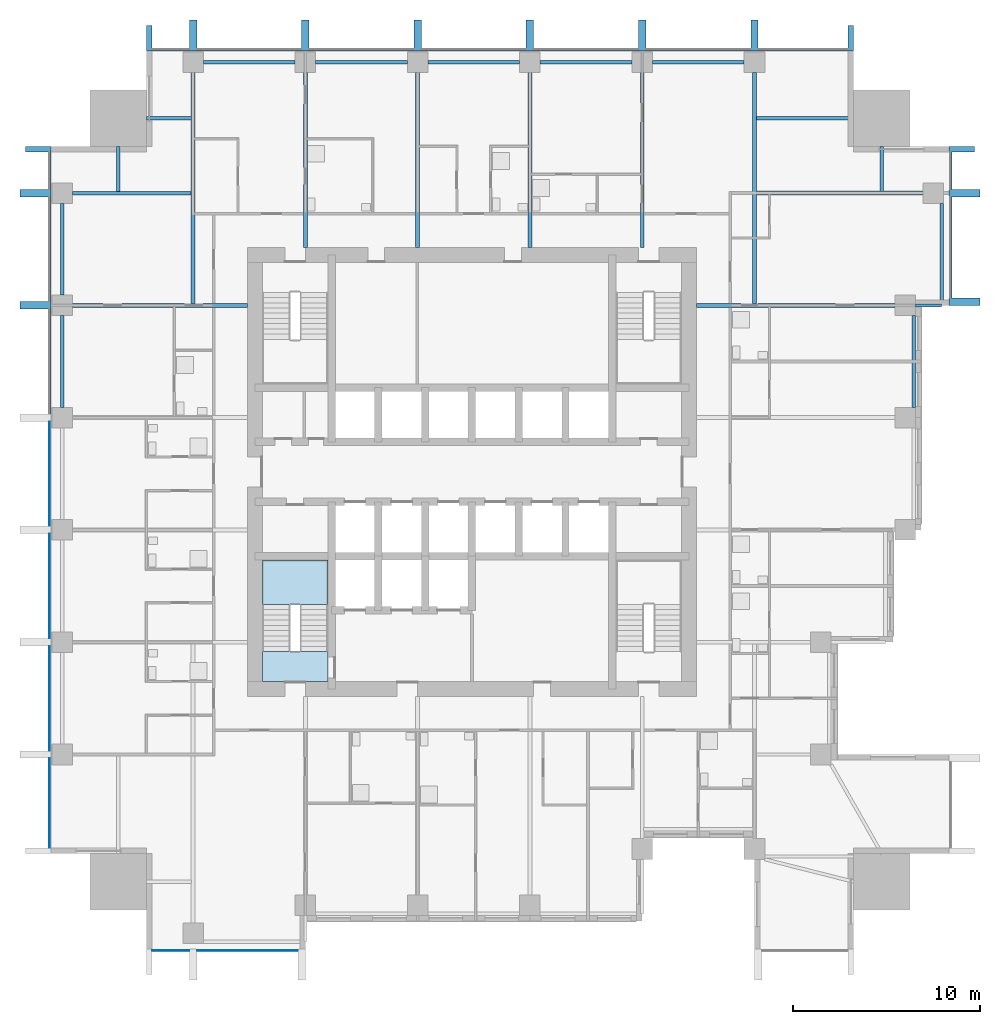
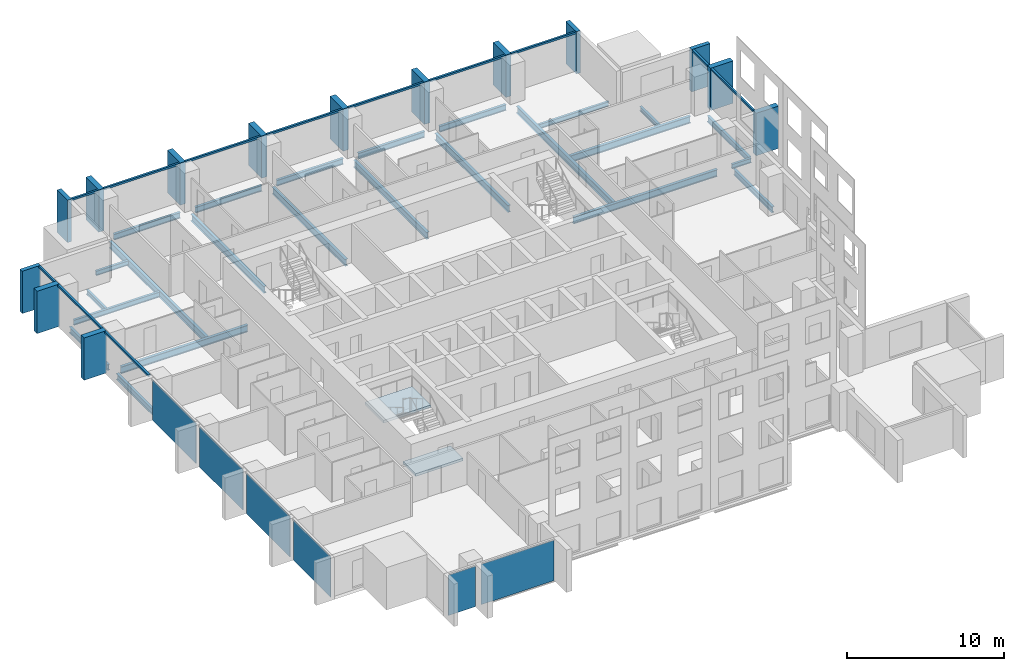
# One storey, part 2 of 11: 26 members, 24 beams, 6 plates, 2 slabs, 5 elements without a shape of their own.
"""IFC4 building model written with IfcOpenShell, lengths in metres."""

import ifcopenshell
import ifcopenshell.guid

model = None  # the IFC model being written
_history = None  # IfcOwnerHistory: only IFC2X3 demands one
_inside = {}  # id of a spatial element -> (the spatial element, [elements in it])
_under = {}  # id of a project, library or spatial element -> (it, [spatial elements below it])
_declared = {}  # id of a project -> (the project, [libraries it declares])
_typed = {}  # id of a type object -> (the type object, [elements of that type])
_made_of = {}  # id of a material, layer set ... -> (it, [elements and type objects made of it])


def new_model(schema):
    """Start an empty IFC model of exactly this schema.

    Asked for "IFC4X3", IfcOpenShell would pick the latest addendum, in which some entities
    have other attributes; the version numbers below select the first issue.
    IFC2X3 requires an IfcOwnerHistory on every rooted entity: one is made here for all.
    """
    global model, _history
    if schema == "IFC4X3":
        model = ifcopenshell.file(schema_version=(4, 3, 0, 0))
    else:
        model = ifcopenshell.file(schema=schema)
    _inside.clear()
    _under.clear()
    _declared.clear()
    _typed.clear()
    _made_of.clear()
    _history = None
    if model.schema == "IFC2X3":
        org = make("IfcOrganization", Name="unknown")
        user = make(
            "IfcPersonAndOrganization",
            ThePerson=make("IfcPerson", FamilyName="unknown"),
            TheOrganization=org,
        )
        app = make(
            "IfcApplication",
            ApplicationDeveloper=org,
            Version="unknown",
            ApplicationFullName="unknown",
            ApplicationIdentifier="unknown",
        )
        _history = make(
            "IfcOwnerHistory",
            OwningUser=user,
            OwningApplication=app,
            ChangeAction="ADDED",
            CreationDate=0,
        )
    return model


def make(cls, **values):
    """One entity of the class cls with the attributes given. An attribute that is None is left unset."""
    return model.create_entity(
        cls, **{name: value for name, value in values.items() if value is not None}
    )


def rooted(cls, **values):
    """An entity with a GlobalId (a new one), such as an element, a storey or a relation."""
    return make(cls, GlobalId=ifcopenshell.guid.new(), OwnerHistory=_history, **values)


def si_unit(unit_type, name, prefix=None):
    """IfcSIUnit, for example si_unit("LENGTHUNIT", "METRE", prefix="MILLI")."""
    return make("IfcSIUnit", UnitType=unit_type, Prefix=prefix, Name=name)


def assignment(units):
    """IfcUnitAssignment: the units of a project."""
    return None if units is None else make("IfcUnitAssignment", Units=units)


def point(xyz):
    """IfcCartesianPoint."""
    return None if xyz is None else make("IfcCartesianPoint", Coordinates=xyz)


def direction(xyz):
    """IfcDirection."""
    return None if xyz is None else make("IfcDirection", DirectionRatios=xyz)


def frame(location, z_axis=None, x_axis=None):
    """IfcAxis2Placement3D, a coordinate frame: its origin and axes. An axis left out is left unset."""
    return make(
        "IfcAxis2Placement3D",
        Location=point(location),
        Axis=direction(z_axis),
        RefDirection=direction(x_axis),
    )


def frame_2d(location, x_axis=None):
    """IfcAxis2Placement2D, a coordinate frame in the plane: its origin and x axis."""
    return make(
        "IfcAxis2Placement2D", Location=point(location), RefDirection=direction(x_axis)
    )


def origin():
    """The frame at (0, 0, 0) with its axes left unset."""
    return frame((0.0, 0.0, 0.0))


def origin_2d():
    """The frame at (0, 0) in the plane with its x axis left unset."""
    return frame_2d((0.0, 0.0))


def place(relative_to, where):
    """IfcLocalPlacement: puts the frame where relative to a parent placement (None: the world)."""
    return make(
        "IfcLocalPlacement", PlacementRelTo=relative_to, RelativePlacement=where
    )


def context(
    kind, dimensions, precision=None, world=None, true_north=None, identifier=None
):
    """IfcGeometricRepresentationContext, for example the 3D "Model" context."""
    return make(
        "IfcGeometricRepresentationContext",
        ContextIdentifier=identifier,
        ContextType=kind,
        CoordinateSpaceDimension=dimensions,
        Precision=precision,
        WorldCoordinateSystem=world,
        TrueNorth=true_north,
    )


def subcontext(parent, identifier, kind, view, scale=None):
    """IfcGeometricRepresentationSubContext, for example "Body" below "Model"."""
    return make(
        "IfcGeometricRepresentationSubContext",
        ContextIdentifier=identifier,
        ContextType=kind,
        ParentContext=parent,
        TargetScale=scale,
        TargetView=view,
    )


def project(units=None, contexts=None):
    """IfcProject with its units and contexts."""
    return rooted(
        "IfcProject",
        Name="project",
        RepresentationContexts=contexts,
        UnitsInContext=assignment(units),
    )


def spatial(cls, under=None, at=None, **own):
    """A site, building, storey or space (cls), placed at a placement, below another one or the project."""
    s = rooted(cls, ObjectPlacement=at, **own)
    if under is not None:
        _under.setdefault(under.id(), (under, []))[1].append(s)
    return s


def polyline(points):
    """IfcPolyline through the points."""
    return make("IfcPolyline", Points=[point(p) for p in points])


def profile(cls, at=None, kind="AREA", **sizes):
    """A parametric profile (cls). Its sizes go by their IFC names, for example OverallWidth=200.0."""
    return make(cls, ProfileType=kind, Position=at, **sizes)


def rectangle(**sizes):
    """IfcRectangleProfileDef."""
    return profile("IfcRectangleProfileDef", **sizes)


def i_section(**sizes):
    """IfcIShapeProfileDef."""
    return profile("IfcIShapeProfileDef", **sizes)


def outline(outer, holes=None, kind="AREA"):
    """IfcArbitraryClosedProfileDef: a profile drawn as a closed curve; with holes, ...WithVoids."""
    if holes is None:
        return make("IfcArbitraryClosedProfileDef", ProfileType=kind, OuterCurve=outer)
    return make(
        "IfcArbitraryProfileDefWithVoids",
        ProfileType=kind,
        OuterCurve=outer,
        InnerCurves=holes,
    )


def extrude(swept, where, along, depth):
    """IfcExtrudedAreaSolid: the profile swept, set in the frame where, extruded along a direction by depth."""
    return make(
        "IfcExtrudedAreaSolid",
        SweptArea=swept,
        Position=where,
        ExtrudedDirection=direction(along),
        Depth=depth,
    )


def shape(context_of_items, identifier, shape_type, items):
    """IfcShapeRepresentation: the items that make up one representation, for example the "Body"."""
    return make(
        "IfcShapeRepresentation",
        ContextOfItems=context_of_items,
        RepresentationIdentifier=identifier,
        RepresentationType=shape_type,
        Items=items,
    )


def material(Name=None, Category=None):
    """IfcMaterial."""
    return make("IfcMaterial", Name=Name, Category=Category)


def layer(
    of_material, thickness, ventilated=None, Name=None, Category=None, Priority=None
):
    """IfcMaterialLayer: one layer of a wall or slab, of a material (None: an air gap)."""
    return make(
        "IfcMaterialLayer",
        Material=of_material,
        LayerThickness=thickness,
        IsVentilated=ventilated,
        Name=Name,
        Category=Category,
        Priority=Priority,
    )


def layer_set(layers, Name=None):
    """IfcMaterialLayerSet."""
    return make("IfcMaterialLayerSet", MaterialLayers=layers, LayerSetName=Name)


def material_profile(
    of_material, cross_section, Name=None, Category=None, Priority=None
):
    """IfcMaterialProfile: a cross section and its material."""
    return make(
        "IfcMaterialProfile",
        Name=Name,
        Material=of_material,
        Profile=cross_section,
        Priority=Priority,
        Category=Category,
    )


def profile_set(profiles, Name=None, composite=None):
    """IfcMaterialProfileSet."""
    return make(
        "IfcMaterialProfileSet",
        Name=Name,
        MaterialProfiles=profiles,
        CompositeProfile=composite,
    )


def made_of(thing, what):
    """Note that an element or type object is made of a material, layer set ...; save() writes the relation."""
    if what is not None:
        _made_of.setdefault(what.id(), (what, []))[1].append(thing)
    return thing


def type_object(cls, material=None, **own):
    """A type object (cls), such as IfcWallType, which elements share."""
    return made_of(rooted(cls, **own), material)


def element(
    cls,
    number,
    at=None,
    inside=None,
    cuts=None,
    type_object=None,
    material=None,
    context=None,
    identifier="Body",
    shape_type=None,
    held_by="IfcProductDefinitionShape",
    body=None,
    shapes=None,
    **own,
):
    """One element of the class cls, such as IfcWall. Its Tag is "e" and its number.

    at: its placement. inside: the storey or other place that contains it. cuts: it is an
    opening in that element (IfcRelVoidsElement). A single representation is given by context,
    identifier, shape_type and body (its items); several are given by shapes. held_by: the class
    of the entity that holds the representations. save() writes the other relations.
    """
    e = rooted(cls, Tag="e%d" % number, ObjectPlacement=at, **own)
    if body is not None:
        shapes = [shape(context, identifier, shape_type, body)]
    if shapes is not None:
        e.Representation = make(held_by, Representations=shapes)
    if inside is not None:
        _inside.setdefault(inside.id(), (inside, []))[1].append(e)
    if cuts is not None:
        rooted(
            "IfcRelVoidsElement", RelatingBuildingElement=cuts, RelatedOpeningElement=e
        )
    if type_object is not None:
        _typed.setdefault(type_object.id(), (type_object, []))[1].append(e)
    return made_of(e, material)


def aggregate(whole, parts):
    """IfcRelAggregates: a whole, such as a stair, and the parts it consists of."""
    return rooted("IfcRelAggregates", RelatingObject=whole, RelatedObjects=parts)


def save(model, path):
    """Write the relations noted so far, then the file.

    IfcRelAggregates (storeys below a building ...), IfcRelContainedInSpatialStructure (elements
    in a storey), IfcRelDefinesByType, IfcRelAssociatesMaterial and IfcRelDeclares: one each for
    every whole, place, type object, material and project.
    """
    for whole, parts in _under.values():
        aggregate(whole, parts)
    for where, things in _inside.values():
        rooted(
            "IfcRelContainedInSpatialStructure",
            RelatedElements=things,
            RelatingStructure=where,
        )
    for kind, things in _typed.values():
        rooted("IfcRelDefinesByType", RelatedObjects=things, RelatingType=kind)
    for what, things in _made_of.values():
        rooted("IfcRelAssociatesMaterial", RelatedObjects=things, RelatingMaterial=what)
    for by, libraries in _declared.values():
        rooted("IfcRelDeclares", RelatingContext=by, RelatedDefinitions=libraries)
    model.write(path)


model = new_model("IFC4")

# Units and contexts
model_context = context("Model", 3, precision=1e-05, world=origin(), true_north=direction((0.0, 1.0)))
body_context = subcontext(model_context, "Body", "Model", "MODEL_VIEW")
ifc_project = project(units=[si_unit("LENGTHUNIT", "METRE"), si_unit("AREAUNIT", "SQUARE_METRE"), si_unit("VOLUMEUNIT", "CUBIC_METRE"), si_unit("PLANEANGLEUNIT", "RADIAN"), si_unit("MASSUNIT", "GRAM", prefix="KILO")], contexts=[model_context])

# Site, building, storey
site_placement = place(None, origin())
site = spatial("IfcSite", under=ifc_project, at=site_placement, CompositionType="ELEMENT")
building_placement = place(site_placement, origin())
building = spatial("IfcBuilding", under=site, at=building_placement, Name="Amberfall Residences", CompositionType="ELEMENT")
storey_placement = place(building_placement, frame((0.0, 0.0, 98.5)))
storey = spatial("IfcBuildingStorey", under=building, at=storey_placement, Name="L26", CompositionType="ELEMENT", Elevation=98.5)

# Curtain wall, members
ifc_material_1 = material(Name="Bronze anodised aluminium and glass", Category="aluminium")
curtain_wall_type = type_object("IfcCurtainWallType", Name="Curtain wall CW1 tower unit", PredefinedType="USERDEFINED", material=ifc_material_1)
curtain_wall_1_placement = place(storey_placement, origin())
curtain_wall_1 = element("IfcCurtainWall", 1, at=curtain_wall_1_placement, inside=storey, type_object=curtain_wall_type, Name="Curtain wall L26 E E10", ObjectType="UNITISED CURTAIN WALL", PredefinedType="USERDEFINED")
ifc_material_2 = material(Name="Bronze anodised aluminium", Category="aluminium")
ifc_material_profile_1 = material_profile(ifc_material_2, rectangle(XDim=0.14990234375, YDim=0.14990234375, at=origin_2d()), Name="CW1 transom 150 x 150 bronze")
ifc_profile_set_1 = profile_set([ifc_material_profile_1], Name="Bronze anodised aluminium")
member_type_1 = type_object("IfcMemberType", Name="CW1 transom 150 x 150 bronze", PredefinedType="USERDEFINED", material=ifc_profile_set_1)
member_1_placement = place(storey_placement, frame((100.074951171875, 54.800048828125, 2.97509765625), z_axis=(0.0, 1.0, 0.0), x_axis=(-1.0, 0.0, 0.0)))
member_1 = element("IfcMember", 2, at=member_1_placement, type_object=member_type_1, Name="CW1 transom 1.1", ObjectType="TRANSOM", PredefinedType="USERDEFINED", context=body_context, shape_type="SweptSolid", body=[
    extrude(rectangle(XDim=0.14990234375, YDim=0.14990234375, at=origin_2d()), origin(), (0.0, 0.0, 1.0), 5.39990234375),
])
member_2_placement = place(storey_placement, frame((100.074951171875, 60.60009765625, 2.97509765625), z_axis=(0.0, 1.0, 0.0), x_axis=(-1.0, 0.0, 0.0)))
member_2 = element("IfcMember", 3, at=member_2_placement, type_object=member_type_1, Name="CW1 transom 2.1", ObjectType="TRANSOM", PredefinedType="USERDEFINED", context=body_context, shape_type="SweptSolid", body=[
    extrude(rectangle(XDim=0.14990234375, YDim=0.14990234375, at=origin_2d()), origin(), (0.0, 0.0, 1.0), 2.0),
])

curtain_wall_2_placement = place(storey_placement, origin())
curtain_wall_2 = element("IfcCurtainWall", 4, at=curtain_wall_2_placement, inside=storey, type_object=curtain_wall_type, Name="Curtain wall L26 N N1", ObjectType="UNITISED CURTAIN WALL", PredefinedType="USERDEFINED")
member_3_placement = place(storey_placement, frame((94.60009765625, 68.074951171875, 2.97509765625), z_axis=(-1.0, 0.0, 0.0), x_axis=(0.0, -1.0, 0.0)))
member_3 = element("IfcMember", 5, at=member_3_placement, type_object=member_type_1, Name="CW1 transom 1.1", ObjectType="TRANSOM", PredefinedType="USERDEFINED", context=body_context, shape_type="SweptSolid", body=[
    extrude(rectangle(XDim=0.14990234375, YDim=0.14990234375, at=origin_2d()), origin(), (0.0, 0.0, 1.0), 4.800048828125),
])
member_4_placement = place(storey_placement, frame((89.39990234375, 68.074951171875, 2.97509765625), z_axis=(-1.0, 0.0, 0.0), x_axis=(0.0, -1.0, 0.0)))
member_4 = element("IfcMember", 6, at=member_4_placement, type_object=member_type_1, Name="CW1 transom 2.1", ObjectType="TRANSOM", PredefinedType="USERDEFINED", context=body_context, shape_type="SweptSolid", body=[
    extrude(rectangle(XDim=0.14990234375, YDim=0.14990234375, at=origin_2d()), origin(), (0.0, 0.0, 1.0), 5.599853515625),
])
member_5_placement = place(storey_placement, frame((83.39990234375, 68.074951171875, 2.97509765625), z_axis=(-1.0, 0.0, 0.0), x_axis=(0.0, -1.0, 0.0)))
member_5 = element("IfcMember", 7, at=member_5_placement, type_object=member_type_1, Name="CW1 transom 3.1", ObjectType="TRANSOM", PredefinedType="USERDEFINED", context=body_context, shape_type="SweptSolid", body=[
    extrude(rectangle(XDim=0.14990234375, YDim=0.14990234375, at=origin_2d()), origin(), (0.0, 0.0, 1.0), 5.599853515625),
])
member_6_placement = place(storey_placement, frame((77.39990234375, 68.074951171875, 2.97509765625), z_axis=(-1.0, 0.0, 0.0), x_axis=(0.0, -1.0, 0.0)))
member_6 = element("IfcMember", 8, at=member_6_placement, type_object=member_type_1, Name="CW1 transom 4.1", ObjectType="TRANSOM", PredefinedType="USERDEFINED", context=body_context, shape_type="SweptSolid", body=[
    extrude(rectangle(XDim=0.14990234375, YDim=0.14990234375, at=origin_2d()), origin(), (0.0, 0.0, 1.0), 5.599853515625),
])
member_7_placement = place(storey_placement, frame((71.39990234375, 68.074951171875, 2.97509765625), z_axis=(-1.0, 0.0, 0.0), x_axis=(0.0, -1.0, 0.0)))
member_7 = element("IfcMember", 9, at=member_7_placement, type_object=member_type_1, Name="CW1 transom 5.1", ObjectType="TRANSOM", PredefinedType="USERDEFINED", context=body_context, shape_type="SweptSolid", body=[
    extrude(rectangle(XDim=0.14990234375, YDim=0.14990234375, at=origin_2d()), origin(), (0.0, 0.0, 1.0), 5.599853515625),
])
member_8_placement = place(storey_placement, frame((65.39990234375, 68.074951171875, 2.97509765625), z_axis=(-1.0, 0.0, 0.0), x_axis=(0.0, -1.0, 0.0)))
member_8 = element("IfcMember", 10, at=member_8_placement, type_object=member_type_1, Name="CW1 transom 6.1", ObjectType="TRANSOM", PredefinedType="USERDEFINED", context=body_context, shape_type="SweptSolid", body=[
    extrude(rectangle(XDim=0.14990234375, YDim=0.14990234375, at=origin_2d()), origin(), (0.0, 0.0, 1.0), 5.599853515625),
])
member_9_placement = place(storey_placement, frame((59.39990234375, 68.074951171875, 2.97509765625), z_axis=(-1.0, 0.0, 0.0), x_axis=(0.0, -1.0, 0.0)))
member_9 = element("IfcMember", 11, at=member_9_placement, type_object=member_type_1, Name="CW1 transom 7.1", ObjectType="TRANSOM", PredefinedType="USERDEFINED", context=body_context, shape_type="SweptSolid", body=[
    extrude(rectangle(XDim=0.14990234375, YDim=0.14990234375, at=origin_2d()), origin(), (0.0, 0.0, 1.0), 2.0),
])

curtain_wall_3_placement = place(storey_placement, origin())
curtain_wall_3 = element("IfcCurtainWall", 12, at=curtain_wall_3_placement, inside=storey, type_object=curtain_wall_type, Name="Curtain wall L26 W W1", ObjectType="UNITISED CURTAIN WALL", PredefinedType="USERDEFINED")
member_10_placement = place(storey_placement, frame((51.925048828125, 62.60009765625, 2.97509765625), z_axis=(0.0, -1.0, 0.0), x_axis=(1.0, 0.0, 0.0)))
member_10 = element("IfcMember", 13, at=member_10_placement, type_object=member_type_1, Name="CW1 transom 1.1", ObjectType="TRANSOM", PredefinedType="USERDEFINED", context=body_context, shape_type="SweptSolid", body=[
    extrude(rectangle(XDim=0.14990234375, YDim=0.14990234375, at=origin_2d()), origin(), (0.0, 0.0, 1.0), 2.0),
])
member_11_placement = place(storey_placement, frame((51.925048828125, 60.199951171875, 2.97509765625), z_axis=(0.0, -1.0, 0.0), x_axis=(1.0, 0.0, 0.0)))
member_11 = element("IfcMember", 14, at=member_11_placement, type_object=member_type_1, Name="CW1 transom 2.1", ObjectType="TRANSOM", PredefinedType="USERDEFINED", context=body_context, shape_type="SweptSolid", body=[
    extrude(rectangle(XDim=0.14990234375, YDim=0.14990234375, at=origin_2d()), origin(), (0.0, 0.0, 1.0), 5.599853515625),
])
member_12_placement = place(storey_placement, frame((51.925048828125, 54.199951171875, 2.97509765625), z_axis=(0.0, -1.0, 0.0), x_axis=(1.0, 0.0, 0.0)))
member_12 = element("IfcMember", 15, at=member_12_placement, type_object=member_type_1, Name="CW1 transom 3.1", ObjectType="TRANSOM", PredefinedType="USERDEFINED", context=body_context, shape_type="SweptSolid", body=[
    extrude(rectangle(XDim=0.14990234375, YDim=0.14990234375, at=origin_2d()), origin(), (0.0, 0.0, 1.0), 5.599853515625),
])

# Beam
ifc_material_3 = material(Name="Steel S355", Category="steel")
ifc_material_profile_2 = material_profile(ifc_material_3, i_section(OverallWidth=0.171142578125, OverallDepth=0.351318359375, WebThickness=0.007080078125, FlangeThickness=0.009765625, FilletRadius=0.01025390625, at=origin_2d()), Name="UB 356x171x45")
ifc_profile_set_2 = profile_set([ifc_material_profile_2], Name="Steel S355")
beam_type_1 = type_object("IfcBeamType", Name="Cantilever girder UB 356x171x45", PredefinedType="BEAM", material=ifc_profile_set_2)
beam_1_placement = place(storey_placement, frame((98.199951171875, 54.39990234375, -0.42578125), z_axis=(1.0, 0.0, 0.0), x_axis=(0.0, 1.0, 0.0)))
element("IfcBeam", 16, at=beam_1_placement, inside=storey, type_object=beam_type_1, Name="Cantilever girder B8 L26 20", PredefinedType="BEAM", context=body_context, shape_type="SweptSolid", body=[
    extrude(i_section(OverallWidth=0.171142578125, OverallDepth=0.351318359375, WebThickness=0.007080078125, FlangeThickness=0.009765625, FilletRadius=0.01025390625, at=origin_2d()), origin(), (0.0, 0.0, 1.0), 1.400146484375),
])

# Member
ifc_material_profile_3 = material_profile(ifc_material_2, rectangle(XDim=1.35009765625, YDim=0.300048828125, at=origin_2d()), Name="Corner fin 300 x 1350 bronze")
ifc_profile_set_3 = profile_set([ifc_material_profile_3], Name="Bronze anodised aluminium")
member_type_2 = type_object("IfcMemberType", Name="Corner fin 300 x 1350 bronze", PredefinedType="MULLION", material=ifc_profile_set_3)
member_13_placement = place(storey_placement, frame((100.675048828125, 62.75, -0.25), z_axis=(0.0, 0.0, 1.0), x_axis=(-1.0, 0.0, 0.0)))
member_13 = element("IfcMember", 17, at=member_13_placement, type_object=member_type_2, Name="CW FIN 3", PredefinedType="MULLION", context=body_context, shape_type="SweptSolid", body=[
    extrude(rectangle(XDim=1.35009765625, YDim=0.300048828125, at=origin_2d()), origin(), (0.0, 0.0, 1.0), 3.300048828125),
])

member_14_placement = place(storey_placement, frame((94.75, 68.675048828125, -0.25), z_axis=(0.0, 0.0, 1.0), x_axis=(0.0, -1.0, 0.0)))
member_14 = element("IfcMember", 18, at=member_14_placement, type_object=member_type_2, Name="CW FIN 1", PredefinedType="MULLION", context=body_context, shape_type="SweptSolid", body=[
    extrude(rectangle(XDim=1.35009765625, YDim=0.300048828125, at=origin_2d()), origin(), (0.0, 0.0, 1.0), 3.300048828125),
])

member_15_placement = place(storey_placement, frame((57.25, 68.675048828125, -0.25), z_axis=(0.0, 0.0, 1.0), x_axis=(0.0, -1.0, 0.0)))
member_15 = element("IfcMember", 19, at=member_15_placement, type_object=member_type_2, Name="CW FIN 8", PredefinedType="MULLION", context=body_context, shape_type="SweptSolid", body=[
    extrude(rectangle(XDim=1.35009765625, YDim=0.300048828125, at=origin_2d()), origin(), (0.0, 0.0, 1.0), 3.300048828125),
])

member_16_placement = place(storey_placement, frame((51.324951171875, 62.75, -0.25), z_axis=(0.0, 0.0, 1.0), x_axis=(1.0, 0.0, 0.0)))
member_16 = element("IfcMember", 20, at=member_16_placement, type_object=member_type_2, Name="CW FIN 1", PredefinedType="MULLION", context=body_context, shape_type="SweptSolid", body=[
    extrude(rectangle(XDim=1.35009765625, YDim=0.300048828125, at=origin_2d()), origin(), (0.0, 0.0, 1.0), 3.300048828125),
])

# Beams
ifc_material_profile_4 = material_profile(ifc_material_3, i_section(OverallWidth=0.18994140625, OverallDepth=0.453369140625, WebThickness=0.008544921875, FlangeThickness=0.0126953125, FilletRadius=0.01025390625, at=origin_2d()), Name="UB 457x191x67")
ifc_profile_set_4 = profile_set([ifc_material_profile_4], Name="Steel S355")
beam_type_2 = type_object("IfcBeamType", Name="Edge beam UB 457x191x67", PredefinedType="SPANDREL", material=ifc_profile_set_4)
beam_2_placement = place(storey_placement, frame((98.10009765625, 48.949951171875, -0.476806640625), z_axis=(0.0, 1.0, 0.0), x_axis=(-1.0, 0.0, 0.0)))
element("IfcBeam", 21, at=beam_2_placement, inside=storey, type_object=beam_type_2, Name="Edge beam B1 L26 17", PredefinedType="SPANDREL", context=body_context, shape_type="SweptSolid", body=[
    extrude(i_section(OverallWidth=0.18994140625, OverallDepth=0.453369140625, WebThickness=0.008544921875, FlangeThickness=0.0126953125, FilletRadius=0.01025390625, at=origin_2d()), origin(), (0.0, 0.0, 1.0), 4.900146484375),
])
beam_3_placement = place(storey_placement, frame((99.60009765625, 54.47998046875, -0.476806640625), z_axis=(0.0, 1.0, 0.0), x_axis=(-1.0, 0.0, 0.0)))
element("IfcBeam", 22, at=beam_3_placement, inside=storey, type_object=beam_type_2, Name="Edge beam B1 L26 18", PredefinedType="SPANDREL", context=body_context, shape_type="SweptSolid", body=[
    extrude(i_section(OverallWidth=0.18994140625, OverallDepth=0.453369140625, WebThickness=0.008544921875, FlangeThickness=0.0126953125, FilletRadius=0.01025390625, at=origin_2d()), origin(), (0.0, 0.0, 1.0), 5.3701171875),
])
for number, where, z_axis, x_axis, name in (
    (23, (60.14990234375, 67.39990234375, -0.476806640625), (1.0, 0.0, 0.0), (0.0, 1.0, 0.0), "Edge beam B1 L26 27"),
    (24, (66.14990234375, 67.39990234375, -0.476806640625), (1.0, 0.0, 0.0), (0.0, 1.0, 0.0), "Edge beam B1 L26 28"),
    (25, (72.14990234375, 67.39990234375, -0.476806640625), (1.0, 0.0, 0.0), (0.0, 1.0, 0.0), "Edge beam B1 L26 29"),
    (26, (78.14990234375, 67.39990234375, -0.476806640625), (1.0, 0.0, 0.0), (0.0, 1.0, 0.0), "Edge beam B1 L26 30"),
    (27, (84.14990234375, 67.39990234375, -0.476806640625), (1.0, 0.0, 0.0), (0.0, 1.0, 0.0), "Edge beam B1 L26 31"),
    (28, (52.60009765625, 48.949951171875, -0.476806640625), (0.0, 1.0, 0.0), (-1.0, 0.0, 0.0), "Edge beam B1 L26 41"),
    (29, (52.60009765625, 54.949951171875, -0.476806640625), (0.0, 1.0, 0.0), (-1.0, 0.0, 0.0), "Edge beam B1 L26 42"),
):
    element("IfcBeam", number, at=place(storey_placement, frame(where, z_axis=z_axis, x_axis=x_axis)), inside=storey, type_object=beam_type_2, Name=name, PredefinedType="SPANDREL", context=body_context, shape_type="SweptSolid", body=[
        extrude(i_section(OverallWidth=0.18994140625, OverallDepth=0.453369140625, WebThickness=0.008544921875, FlangeThickness=0.0126953125, FilletRadius=0.01025390625, at=origin_2d()), origin(), (0.0, 0.0, 1.0), 4.900146484375),
    ])

# Member
ifc_material_profile_5 = material_profile(ifc_material_2, rectangle(XDim=1.64990234375, YDim=0.39990234375, at=origin_2d()), Name="Fin 400 x 1650 bronze")
ifc_profile_set_5 = profile_set([ifc_material_profile_5], Name="Bronze anodised aluminium")
member_type_3 = type_object("IfcMemberType", Name="Fin 400 x 1650 bronze", PredefinedType="MULLION", material=ifc_profile_set_5)
member_17_placement = place(storey_placement, frame((100.824951171875, 54.60009765625, -0.25), z_axis=(0.0, 0.0, 1.0), x_axis=(-1.0, 0.0, 0.0)))
member_17 = element("IfcMember", 30, at=member_17_placement, type_object=member_type_3, Name="CW FIN 1", PredefinedType="MULLION", context=body_context, shape_type="SweptSolid", body=[
    extrude(rectangle(XDim=1.64990234375, YDim=0.39990234375, at=origin_2d()), origin(), (0.0, 0.0, 1.0), 3.300048828125),
])

member_18_placement = place(storey_placement, frame((100.824951171875, 60.39990234375, -0.25), z_axis=(0.0, 0.0, 1.0), x_axis=(-1.0, 0.0, 0.0)))
member_18 = element("IfcMember", 31, at=member_18_placement, type_object=member_type_3, Name="CW FIN 2", PredefinedType="MULLION", context=body_context, shape_type="SweptSolid", body=[
    extrude(rectangle(XDim=1.64990234375, YDim=0.39990234375, at=origin_2d()), origin(), (0.0, 0.0, 1.0), 3.300048828125),
])

aggregate(curtain_wall_1, [member_17, member_18, member_13, member_1, member_2])

member_19_placement = place(storey_placement, frame((89.60009765625, 68.824951171875, -0.25), z_axis=(0.0, 0.0, 1.0), x_axis=(0.0, -1.0, 0.0)))
member_19 = element("IfcMember", 32, at=member_19_placement, type_object=member_type_3, Name="CW FIN 2", PredefinedType="MULLION", context=body_context, shape_type="SweptSolid", body=[
    extrude(rectangle(XDim=1.64990234375, YDim=0.39990234375, at=origin_2d()), origin(), (0.0, 0.0, 1.0), 3.300048828125),
])

member_20_placement = place(storey_placement, frame((83.60009765625, 68.824951171875, -0.25), z_axis=(0.0, 0.0, 1.0), x_axis=(0.0, -1.0, 0.0)))
member_20 = element("IfcMember", 33, at=member_20_placement, type_object=member_type_3, Name="CW FIN 3", PredefinedType="MULLION", context=body_context, shape_type="SweptSolid", body=[
    extrude(rectangle(XDim=1.64990234375, YDim=0.39990234375, at=origin_2d()), origin(), (0.0, 0.0, 1.0), 3.300048828125),
])

member_21_placement = place(storey_placement, frame((77.60009765625, 68.824951171875, -0.25), z_axis=(0.0, 0.0, 1.0), x_axis=(0.0, -1.0, 0.0)))
member_21 = element("IfcMember", 34, at=member_21_placement, type_object=member_type_3, Name="CW FIN 4", PredefinedType="MULLION", context=body_context, shape_type="SweptSolid", body=[
    extrude(rectangle(XDim=1.64990234375, YDim=0.39990234375, at=origin_2d()), origin(), (0.0, 0.0, 1.0), 3.300048828125),
])

member_22_placement = place(storey_placement, frame((71.60009765625, 68.824951171875, -0.25), z_axis=(0.0, 0.0, 1.0), x_axis=(0.0, -1.0, 0.0)))
member_22 = element("IfcMember", 35, at=member_22_placement, type_object=member_type_3, Name="CW FIN 5", PredefinedType="MULLION", context=body_context, shape_type="SweptSolid", body=[
    extrude(rectangle(XDim=1.64990234375, YDim=0.39990234375, at=origin_2d()), origin(), (0.0, 0.0, 1.0), 3.300048828125),
])

member_23_placement = place(storey_placement, frame((65.60009765625, 68.824951171875, -0.25), z_axis=(0.0, 0.0, 1.0), x_axis=(0.0, -1.0, 0.0)))
member_23 = element("IfcMember", 36, at=member_23_placement, type_object=member_type_3, Name="CW FIN 6", PredefinedType="MULLION", context=body_context, shape_type="SweptSolid", body=[
    extrude(rectangle(XDim=1.64990234375, YDim=0.39990234375, at=origin_2d()), origin(), (0.0, 0.0, 1.0), 3.300048828125),
])

member_24_placement = place(storey_placement, frame((59.60009765625, 68.824951171875, -0.25), z_axis=(0.0, 0.0, 1.0), x_axis=(0.0, -1.0, 0.0)))
member_24 = element("IfcMember", 37, at=member_24_placement, type_object=member_type_3, Name="CW FIN 7", PredefinedType="MULLION", context=body_context, shape_type="SweptSolid", body=[
    extrude(rectangle(XDim=1.64990234375, YDim=0.39990234375, at=origin_2d()), origin(), (0.0, 0.0, 1.0), 3.300048828125),
])

aggregate(curtain_wall_2, [member_14, member_19, member_20, member_21, member_22, member_23, member_24, member_15, member_3, member_4, member_5, member_6, member_7, member_8, member_9])

member_25_placement = place(storey_placement, frame((51.175048828125, 60.39990234375, -0.25), z_axis=(0.0, 0.0, 1.0), x_axis=(1.0, 0.0, 0.0)))
member_25 = element("IfcMember", 38, at=member_25_placement, type_object=member_type_3, Name="CW FIN 2", PredefinedType="MULLION", context=body_context, shape_type="SweptSolid", body=[
    extrude(rectangle(XDim=1.64990234375, YDim=0.39990234375, at=origin_2d()), origin(), (0.0, 0.0, 1.0), 3.300048828125),
])

member_26_placement = place(storey_placement, frame((51.175048828125, 54.39990234375, -0.25), z_axis=(0.0, 0.0, 1.0), x_axis=(1.0, 0.0, 0.0)))
member_26 = element("IfcMember", 39, at=member_26_placement, type_object=member_type_3, Name="CW FIN 3", PredefinedType="MULLION", context=body_context, shape_type="SweptSolid", body=[
    extrude(rectangle(XDim=1.64990234375, YDim=0.39990234375, at=origin_2d()), origin(), (0.0, 0.0, 1.0), 3.300048828125),
])

# Beams
ifc_material_profile_6 = material_profile(ifc_material_3, i_section(OverallWidth=0.177734375, OverallDepth=0.402587890625, WebThickness=0.0078125, FlangeThickness=0.010986328125, FilletRadius=0.01025390625, at=origin_2d()), Name="UB 406x178x54")
ifc_profile_set_6 = profile_set([ifc_material_profile_6], Name="Steel S355")
beam_type_3 = type_object("IfcBeamType", Name="Floor girder UB 406x178x54", PredefinedType="BEAM", material=ifc_profile_set_6)
beam_4_placement = place(storey_placement, frame((53.14990234375, 60.39990234375, -0.451416015625), z_axis=(1.0, 0.0, 0.0), x_axis=(0.0, 1.0, 0.0)))
element("IfcBeam", 40, at=beam_4_placement, inside=storey, type_object=beam_type_3, Name="Floor girder B4 L26 48", PredefinedType="BEAM", context=body_context, shape_type="SweptSolid", body=[
    extrude(i_section(OverallWidth=0.177734375, OverallDepth=0.402587890625, WebThickness=0.0078125, FlangeThickness=0.010986328125, FilletRadius=0.01025390625, at=origin_2d()), origin(), (0.0, 0.0, 1.0), 6.330078125),
])
ifc_material_profile_7 = material_profile(ifc_material_3, i_section(OverallWidth=0.210693359375, OverallDepth=0.53955078125, WebThickness=0.01171875, FlangeThickness=0.018798828125, FilletRadius=0.0126953125, at=origin_2d()), Name="UB 533x210x109")
ifc_profile_set_7 = profile_set([ifc_material_profile_7], Name="Steel S355")
beam_type_4 = type_object("IfcBeamType", Name="Floor girder UB 533x210x109", PredefinedType="BEAM", material=ifc_profile_set_7)
for number, where, z_axis, x_axis, name in (
    (41, (59.60009765625, 66.85009765625, -0.519775390625), (0.0, -1.0, 0.0), (1.0, 0.0, 0.0), "Floor girder B2 L26 32"),
    (42, (89.60009765625, 66.85009765625, -0.519775390625), (0.0, -1.0, 0.0), (1.0, 0.0, 0.0), "Floor girder B2 L26 37"),
):
    element("IfcBeam", number, at=place(storey_placement, frame(where, z_axis=z_axis, x_axis=x_axis)), inside=storey, type_object=beam_type_4, Name=name, PredefinedType="BEAM", context=body_context, shape_type="SweptSolid", body=[
        extrude(i_section(OverallWidth=0.210693359375, OverallDepth=0.53955078125, WebThickness=0.01171875, FlangeThickness=0.018798828125, FilletRadius=0.0126953125, at=origin_2d()), origin(), (0.0, 0.0, 1.0), 12.3505859375),
    ])
ifc_material_profile_8 = material_profile(ifc_material_3, i_section(OverallWidth=0.209228515625, OverallDepth=0.533203125, WebThickness=0.010009765625, FlangeThickness=0.015625, FilletRadius=0.0126953125, at=origin_2d()), Name="UB 533x210x92")
ifc_profile_set_8 = profile_set([ifc_material_profile_8], Name="Steel S355")
beam_type_5 = type_object("IfcBeamType", Name="Floor girder UB 533x210x92", PredefinedType="BEAM", material=ifc_profile_set_8)
beam_5_placement = place(storey_placement, frame((97.10009765625, 54.39990234375, -0.5166015625), z_axis=(-1.0, 0.0, 0.0), x_axis=(0.0, -1.0, 0.0)))
element("IfcBeam", 43, at=beam_5_placement, inside=storey, type_object=beam_type_5, Name="Floor girder B3 L26 25", PredefinedType="BEAM", context=body_context, shape_type="SweptSolid", body=[
    extrude(i_section(OverallWidth=0.209228515625, OverallDepth=0.533203125, WebThickness=0.010009765625, FlangeThickness=0.015625, FilletRadius=0.0126953125, at=origin_2d()), origin(), (0.0, 0.0, 1.0), 10.60009765625),
])
beam_6_placement = place(storey_placement, frame((98.60009765625, 60.39990234375, -0.5166015625), z_axis=(-1.0, 0.0, 0.0), x_axis=(0.0, -1.0, 0.0)))
element("IfcBeam", 44, at=beam_6_placement, inside=storey, type_object=beam_type_5, Name="Floor girder B3 L26 26", PredefinedType="BEAM", context=body_context, shape_type="SweptSolid", body=[
    extrude(i_section(OverallWidth=0.209228515625, OverallDepth=0.533203125, WebThickness=0.010009765625, FlangeThickness=0.015625, FilletRadius=0.0126953125, at=origin_2d()), origin(), (0.0, 0.0, 1.0), 8.880126953125),
])
for number, where, z_axis, x_axis, name in (
    (45, (65.60009765625, 66.85009765625, -0.5166015625), (0.0, -1.0, 0.0), (1.0, 0.0, 0.0), "Floor girder B3 L26 33"),
    (46, (71.60009765625, 66.85009765625, -0.5166015625), (0.0, -1.0, 0.0), (1.0, 0.0, 0.0), "Floor girder B3 L26 34"),
    (47, (77.60009765625, 66.85009765625, -0.5166015625), (0.0, -1.0, 0.0), (1.0, 0.0, 0.0), "Floor girder B3 L26 35"),
    (48, (83.60009765625, 66.85009765625, -0.5166015625), (0.0, -1.0, 0.0), (1.0, 0.0, 0.0), "Floor girder B3 L26 36"),
    (49, (53.14990234375, 54.39990234375, -0.5166015625), (1.0, 0.0, 0.0), (0.0, 1.0, 0.0), "Floor girder B3 L26 47"),
):
    element("IfcBeam", number, at=place(storey_placement, frame(where, z_axis=z_axis, x_axis=x_axis)), inside=storey, type_object=beam_type_5, Name=name, PredefinedType="BEAM", context=body_context, shape_type="SweptSolid", body=[
        extrude(i_section(OverallWidth=0.209228515625, OverallDepth=0.533203125, WebThickness=0.010009765625, FlangeThickness=0.015625, FilletRadius=0.0126953125, at=origin_2d()), origin(), (0.0, 0.0, 1.0), 9.35009765625),
    ])
ifc_material_profile_9 = material_profile(ifc_material_3, i_section(OverallWidth=0.171142578125, OverallDepth=0.351318359375, WebThickness=0.007080078125, FlangeThickness=0.009765625, FilletRadius=0.01025390625, at=origin_2d()), Name="UB 356x171x45")
ifc_profile_set_9 = profile_set([ifc_material_profile_9], Name="Steel S355")
beam_type_6 = type_object("IfcBeamType", Name="Link beam UB 356x171x45", PredefinedType="BEAM", material=ifc_profile_set_9)
beam_7_placement = place(storey_placement, frame((94.89990234375, 64.39990234375, -0.42578125), z_axis=(-1.0, 0.0, 0.0), x_axis=(0.0, -1.0, 0.0)))
element("IfcBeam", 50, at=beam_7_placement, inside=storey, type_object=beam_type_6, Name="Link beam B7 L26 54", PredefinedType="BEAM", context=body_context, shape_type="SweptSolid", body=[
    extrude(i_section(OverallWidth=0.171142578125, OverallDepth=0.351318359375, WebThickness=0.007080078125, FlangeThickness=0.009765625, FilletRadius=0.01025390625, at=origin_2d()), origin(), (0.0, 0.0, 1.0), 5.20458984375),
])
beam_8_placement = place(storey_placement, frame((96.39990234375, 62.89990234375, -0.42578125), z_axis=(0.0, -1.0, 0.0), x_axis=(1.0, 0.0, 0.0)))
element("IfcBeam", 51, at=beam_8_placement, inside=storey, type_object=beam_type_6, Name="Link beam B7 L26 55", PredefinedType="BEAM", context=body_context, shape_type="SweptSolid", body=[
    extrude(i_section(OverallWidth=0.171142578125, OverallDepth=0.351318359375, WebThickness=0.007080078125, FlangeThickness=0.009765625, FilletRadius=0.01025390625, at=origin_2d()), origin(), (0.0, 0.0, 1.0), 2.4052734375),
])
beam_9_placement = place(storey_placement, frame((57.10009765625, 64.39990234375, -0.42578125), z_axis=(1.0, 0.0, 0.0), x_axis=(0.0, 1.0, 0.0)))
element("IfcBeam", 52, at=beam_9_placement, inside=storey, type_object=beam_type_6, Name="Link beam B7 L26 56", PredefinedType="BEAM", context=body_context, shape_type="SweptSolid", body=[
    extrude(i_section(OverallWidth=0.171142578125, OverallDepth=0.351318359375, WebThickness=0.007080078125, FlangeThickness=0.009765625, FilletRadius=0.01025390625, at=origin_2d()), origin(), (0.0, 0.0, 1.0), 2.404541015625),
])
beam_10_placement = place(storey_placement, frame((55.60009765625, 62.89990234375, -0.42578125), z_axis=(0.0, -1.0, 0.0), x_axis=(1.0, 0.0, 0.0)))
element("IfcBeam", 53, at=beam_10_placement, inside=storey, type_object=beam_type_6, Name="Link beam B7 L26 57", PredefinedType="BEAM", context=body_context, shape_type="SweptSolid", body=[
    extrude(i_section(OverallWidth=0.171142578125, OverallDepth=0.351318359375, WebThickness=0.007080078125, FlangeThickness=0.009765625, FilletRadius=0.01025390625, at=origin_2d()), origin(), (0.0, 0.0, 1.0), 2.4208984375),
])

# Curtain wall, plates
curtain_wall_4_placement = place(storey_placement, origin())
curtain_wall_4 = element("IfcCurtainWall", 54, at=curtain_wall_4_placement, inside=storey, type_object=curtain_wall_type, Name="Curtain wall L26 S S1", ObjectType="UNITISED CURTAIN WALL", PredefinedType="USERDEFINED")
ifc_material_4 = material(Name="Tinted double glazed unit", Category="glass")
ifc_layer_1 = layer(ifc_material_4, 0.035888671875)
ifc_layer_set_1 = layer_set([ifc_layer_1], Name="CW1 panel 36 glazing")
plate_type = type_object("IfcPlateType", Name="CW1 panel 36 glazing", PredefinedType="CURTAIN_PANEL", material=ifc_layer_set_1)
plate_1_placement = place(storey_placement, frame((58.39990234375, 19.925048828125, -0.25), z_axis=(0.0, 0.0, 1.0), x_axis=(1.0, 0.0, 0.0)))
plate_1 = element("IfcPlate", 55, at=plate_1_placement, type_object=plate_type, Name="CW1 panel 1.1", PredefinedType="CURTAIN_PANEL", context=body_context, shape_type="SweptSolid", body=[
    extrude(rectangle(XDim=1.97607421875, YDim=0.035888671875, at=origin_2d()), origin(), (0.0, 0.0, 1.0), 3.14990234375),
])
plate_2_placement = place(storey_placement, frame((62.5, 19.925048828125, -0.25), z_axis=(0.0, 0.0, 1.0), x_axis=(1.0, 0.0, 0.0)))
plate_2 = element("IfcPlate", 56, at=plate_2_placement, type_object=plate_type, Name="CW1 panel 2.1", PredefinedType="CURTAIN_PANEL", context=body_context, shape_type="SweptSolid", body=[
    extrude(rectangle(XDim=5.3759765625, YDim=0.035888671875, at=origin_2d()), origin(), (0.0, 0.0, 1.0), 3.14990234375),
])
aggregate(curtain_wall_4, [plate_1, plate_2])

# Plate
plate_3_placement = place(storey_placement, frame((51.925048828125, 45.39990234375, -0.25), z_axis=(0.0, 0.0, 1.0), x_axis=(0.0, -1.0, 0.0)))
plate_3 = element("IfcPlate", 57, at=plate_3_placement, type_object=plate_type, Name="CW1 panel 4.1", PredefinedType="CURTAIN_PANEL", context=body_context, shape_type="SweptSolid", body=[
    extrude(rectangle(XDim=5.575927734375, YDim=0.035888671875, at=origin_2d()), origin(), (0.0, 0.0, 1.0), 3.14990234375),
])

plate_4_placement = place(storey_placement, frame((51.925048828125, 39.39990234375, -0.25), z_axis=(0.0, 0.0, 1.0), x_axis=(0.0, -1.0, 0.0)))
plate_4 = element("IfcPlate", 58, at=plate_4_placement, type_object=plate_type, Name="CW1 panel 5.1", PredefinedType="CURTAIN_PANEL", context=body_context, shape_type="SweptSolid", body=[
    extrude(rectangle(XDim=5.575927734375, YDim=0.035888671875, at=origin_2d()), origin(), (0.0, 0.0, 1.0), 3.14990234375),
])

plate_5_placement = place(storey_placement, frame((51.925048828125, 33.39990234375, -0.25), z_axis=(0.0, 0.0, 1.0), x_axis=(0.0, -1.0, 0.0)))
plate_5 = element("IfcPlate", 59, at=plate_5_placement, type_object=plate_type, Name="CW1 panel 6.1", PredefinedType="CURTAIN_PANEL", context=body_context, shape_type="SweptSolid", body=[
    extrude(rectangle(XDim=5.575927734375, YDim=0.035888671875, at=origin_2d()), origin(), (0.0, 0.0, 1.0), 3.14990234375),
])

plate_6_placement = place(storey_placement, frame((51.925048828125, 27.800048828125, -0.25), z_axis=(0.0, 0.0, 1.0), x_axis=(0.0, -1.0, 0.0)))
plate_6 = element("IfcPlate", 60, at=plate_6_placement, type_object=plate_type, Name="CW1 panel 7.1", PredefinedType="CURTAIN_PANEL", context=body_context, shape_type="SweptSolid", body=[
    extrude(rectangle(XDim=4.77587890625, YDim=0.035888671875, at=origin_2d()), origin(), (0.0, 0.0, 1.0), 3.14990234375),
])

aggregate(curtain_wall_3, [member_16, member_25, member_26, member_10, member_11, member_12, plate_3, plate_4, plate_5, plate_6])

# Stair, slabs
ifc_material_5 = material(Name="Concrete C40", Category="concrete")
stair_type = type_object("IfcStairType", Name="Exit stair 20 risers 165.0 mm", PredefinedType="HALF_TURN_STAIR", material=ifc_material_5)
stair_placement = place(storey_placement, origin())
stair = element("IfcStair", 61, at=stair_placement, inside=storey, type_object=stair_type, Name="L26 Exit stair 1", PredefinedType="HALF_TURN_STAIR")
ifc_layer_2 = layer(ifc_material_5, 0.199951171875)
ifc_layer_set_2 = layer_set([ifc_layer_2], Name="Stair landing 200")
slab_type = type_object("IfcSlabType", Name="Stair landing 200", PredefinedType="LANDING", material=ifc_layer_set_2)
slab_1_placement = place(storey_placement, frame((0.0, 0.0, 1.449951171875)))
slab_1 = element("IfcSlab", 62, at=slab_1_placement, type_object=slab_type, Name="ST3 landing 1", PredefinedType="LANDING", context=body_context, shape_type="SweptSolid", body=[
    extrude(outline(polyline([(66.800048828125, 38.419921875), (66.800048828125, 40.800048828125), (63.300048828125, 40.800048828125), (63.300048828125, 38.419921875), (66.800048828125, 38.419921875)])), origin(), (0.0, 0.0, 1.0), 0.199951171875),
])
slab_2_placement = place(storey_placement, frame((0.0, 0.0, -0.199951171875)))
slab_2 = element("IfcSlab", 63, at=slab_2_placement, type_object=slab_type, Name="ST3 landing 2", PredefinedType="LANDING", context=body_context, shape_type="SweptSolid", body=[
    extrude(outline(polyline([(66.800048828125, 34.300048828125), (66.800048828125, 35.89990234375), (63.300048828125, 35.89990234375), (63.300048828125, 34.300048828125), (66.800048828125, 34.300048828125)])), origin(), (0.0, 0.0, 1.0), 0.199951171875),
])
aggregate(stair, [slab_1, slab_2])

save(model, "model.ifc")
